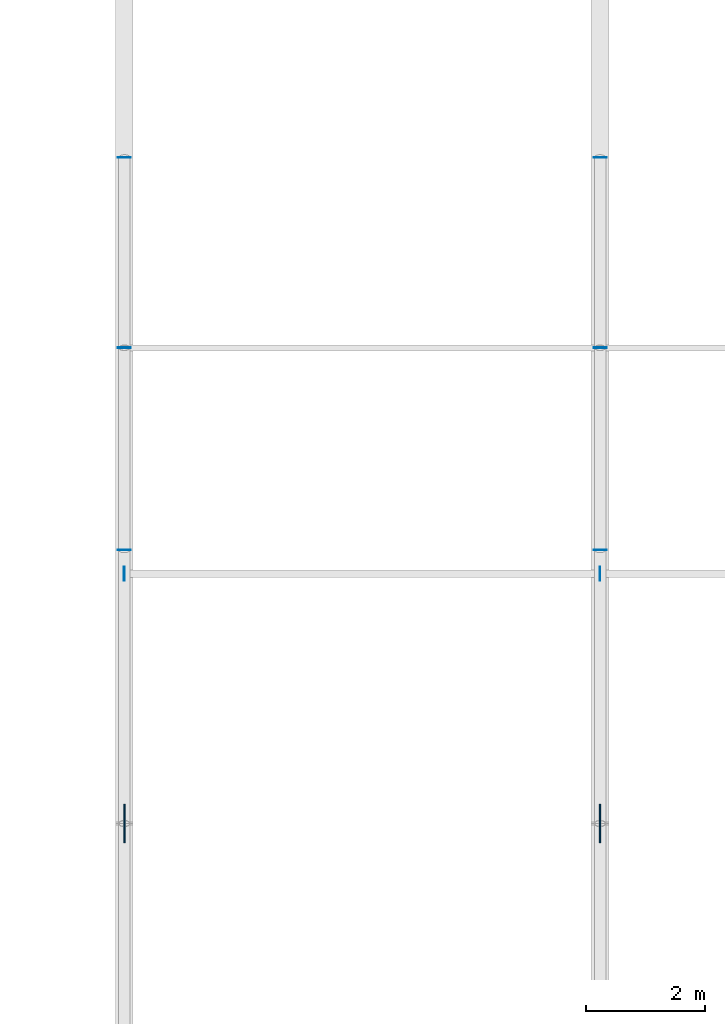
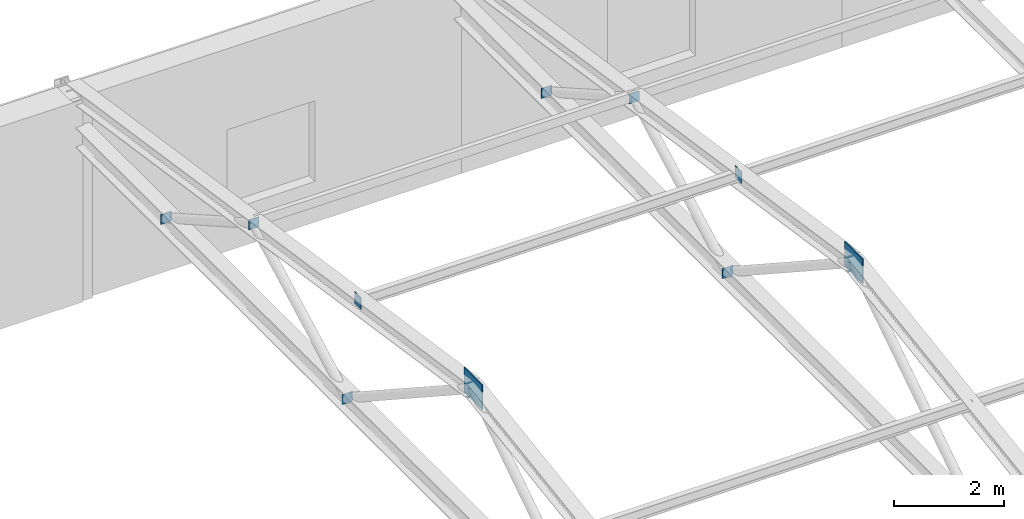
# One storey, part 38 of 75: 10 plates.
"""IFC4 building model written with IfcOpenShell, lengths in metres."""

from ifc_helpers import new_model, si_unit, direction, frame, origin, origin_2d, place, context, subcontext, project, spatial, rectangle, extrude, material, layer, layer_set, type_object, element, save


model = new_model("IFC4")

# Units and contexts
model_context = context("Model", 3, precision=1e-05, world=origin(), true_north=direction((0.0, 1.0)))
body_context = subcontext(model_context, "Body", "Model", "MODEL_VIEW")
ifc_project = project(units=[si_unit("LENGTHUNIT", "METRE"), si_unit("AREAUNIT", "SQUARE_METRE"), si_unit("VOLUMEUNIT", "CUBIC_METRE"), si_unit("PLANEANGLEUNIT", "RADIAN"), si_unit("MASSUNIT", "GRAM", prefix="KILO")], contexts=[model_context])

# Site, building, storey
site_placement = place(None, origin())
site = spatial("IfcSite", under=ifc_project, at=site_placement, CompositionType="ELEMENT")
building_placement = place(site_placement, origin())
building = spatial("IfcBuilding", under=site, at=building_placement, Name="Valkorina Park Police Headquarters", CompositionType="ELEMENT")
storey_placement = place(building_placement, frame((0.0, 0.0, 5.39990234375)))
storey = spatial("IfcBuildingStorey", under=building, at=storey_placement, Name="L02", CompositionType="ELEMENT", Elevation=5.39990234375)

# Plates
ifc_material = material(Name="Steel S355", Category="steel")
ifc_layer_1 = layer(ifc_material, 0.011962890625)
ifc_layer_set_1 = layer_set([ifc_layer_1], Name="Steel S355")
plate_type_1 = type_object("IfcPlateType", Name="PL-ENDCAP-12", PredefinedType="USERDEFINED", material=ifc_layer_set_1)
for number, where, z_axis, x_axis, name in (
    (1, (128.800048828125, 100.800048828125, 3.59033203125), (0.0, 0.0, 1.0), (1.0, 0.0, 0.0), "CHS Hollow End Cap Plate 89"),
    (2, (128.800048828125, 104.199951171875, 5.41015625), (0.0, 0.0, 1.0), (1.0, 0.0, 0.0), "CHS Hollow End Cap Plate 90"),
    (3, (128.800048828125, 107.39990234375, 3.59033203125), (0.0, 0.0, 1.0), (1.0, 0.0, 0.0), "CHS Hollow End Cap Plate 91"),
    (4, (136.800048828125, 100.800048828125, 3.59033203125), (0.0, 0.0, 1.0), (1.0, 0.0, 0.0), "CHS Hollow End Cap Plate 98"),
    (5, (136.800048828125, 104.199951171875, 5.41015625), (0.0, 0.0, 1.0), (1.0, 0.0, 0.0), "CHS Hollow End Cap Plate 99"),
    (6, (136.800048828125, 107.39990234375, 3.59033203125), (0.0, 0.0, 1.0), (1.0, 0.0, 0.0), "CHS Hollow End Cap Plate 100"),
):
    element("IfcPlate", number, at=place(storey_placement, frame(where, z_axis=z_axis, x_axis=x_axis)), inside=storey, type_object=plate_type_1, Name=name, ObjectType="END CAP PLATE", PredefinedType="USERDEFINED", context=body_context, shape_type="SweptSolid", body=[
        extrude(rectangle(XDim=0.219970703125, YDim=0.011962890625, at=origin_2d()), origin(), (0.0, 0.0, 1.0), 0.219970703125),
    ])
for number, where, z_axis, x_axis, name in (
    (7, (128.800048828125, 100.39990234375, 5.97021484375), (0.0, 0.0, 1.0), (1.0, 0.0, 0.0), "V3 Purlin Cleat End Plate 121"),
    (8, (136.800048828125, 100.39990234375, 5.97021484375), (0.0, 0.0, 1.0), (1.0, 0.0, 0.0), "V3 Purlin Cleat End Plate 122"),
):
    element("IfcPlate", number, at=place(storey_placement, frame(where, z_axis=z_axis, x_axis=x_axis)), inside=storey, type_object=plate_type_1, Name=name, ObjectType="END CAP PLATE", PredefinedType="USERDEFINED", context=body_context, shape_type="SweptSolid", body=[
        extrude(rectangle(XDim=0.011962890625, YDim=0.239990234375, at=origin_2d()), origin(), (0.0, 0.0, 1.0), 0.260009765625),
    ])
ifc_layer_2 = layer(ifc_material, 0.02392578125)
ifc_layer_set_2 = layer_set([ifc_layer_2], Name="Steel S355")
plate_type_2 = type_object("IfcPlateType", Name="PL-GUSSET-24", PredefinedType="USERDEFINED", material=ifc_layer_set_2)
for number, where, z_axis, x_axis, name in (
    (9, (128.800048828125, 96.199951171875, 6.42529296875), (0.0, 0.0, 1.0), (1.0, 0.0, 0.0), "V3 Truss Ridge Apex Gusset Plate 85"),
    (10, (136.800048828125, 96.199951171875, 6.42529296875), (0.0, 0.0, 1.0), (1.0, 0.0, 0.0), "V3 Truss Ridge Apex Gusset Plate 94"),
):
    element("IfcPlate", number, at=place(storey_placement, frame(where, z_axis=z_axis, x_axis=x_axis)), inside=storey, type_object=plate_type_2, Name=name, ObjectType="GUSSET PLATE", PredefinedType="USERDEFINED", context=body_context, shape_type="SweptSolid", body=[
        extrude(rectangle(XDim=0.02392578125, YDim=0.64990234375, at=origin_2d()), origin(), (0.0, 0.0, 1.0), 0.550048828125),
    ])

save(model, "model.ifc")
